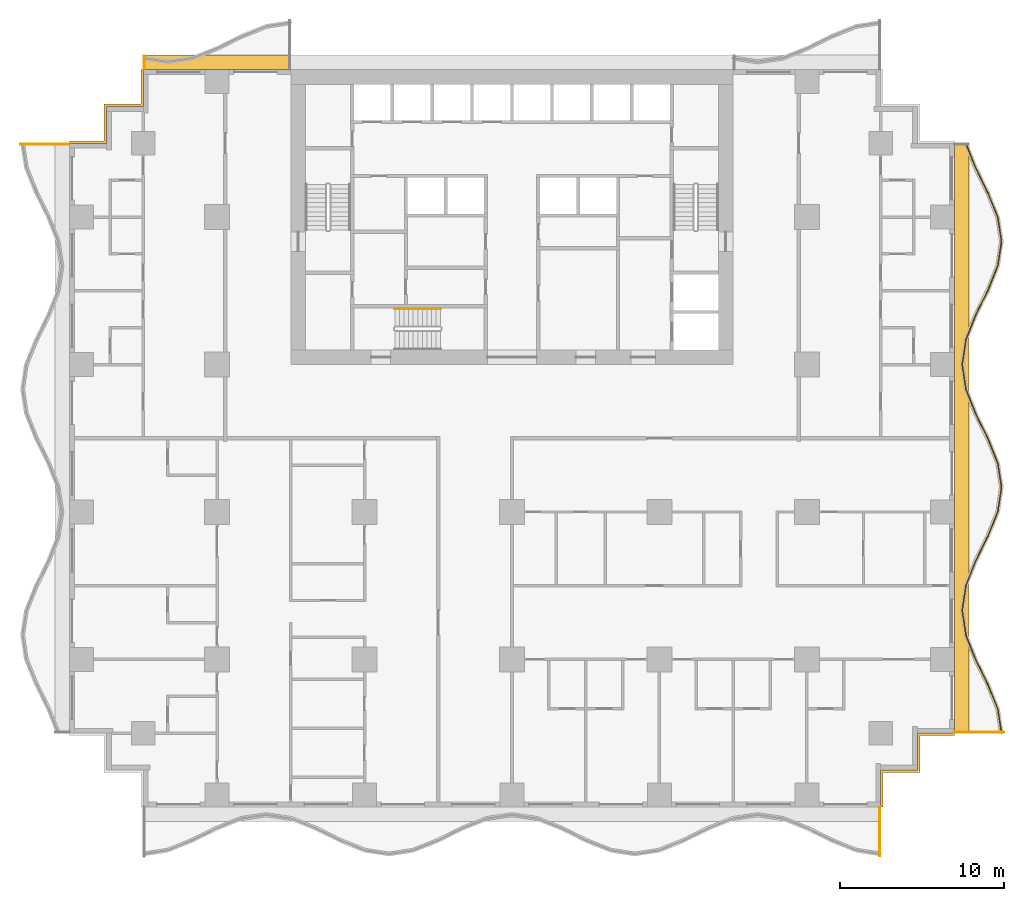
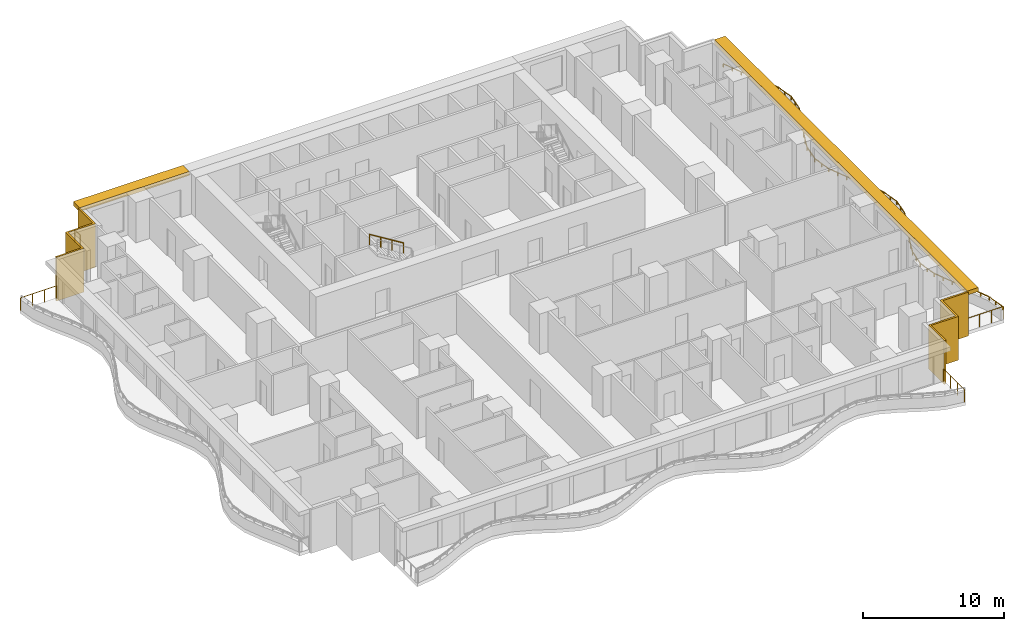
# One storey, part 11 of 14: 6 railings, 4 shading devices.
"""IFC4 building model written with IfcOpenShell, lengths in metres."""

from ifc_helpers import new_model, si_unit, direction, frame, origin, origin_2d, place, context, subcontext, project, spatial, polyline, rectangle, circle, outline, extrude, material, layer, layer_set, type_object, element, save


model = new_model("IFC4")

# Units and contexts
model_context = context("Model", 3, precision=1e-05, world=origin(), true_north=direction((0.0, 1.0)))
body_context = subcontext(model_context, "Body", "Model", "MODEL_VIEW")
ifc_project = project(units=[si_unit("LENGTHUNIT", "METRE"), si_unit("AREAUNIT", "SQUARE_METRE"), si_unit("VOLUMEUNIT", "CUBIC_METRE"), si_unit("PLANEANGLEUNIT", "RADIAN"), si_unit("MASSUNIT", "GRAM", prefix="KILO")], contexts=[model_context])

# Site, building, storey
site_placement = place(None, origin())
site = spatial("IfcSite", under=ifc_project, at=site_placement, CompositionType="ELEMENT")
building_placement = place(site_placement, origin())
building = spatial("IfcBuilding", under=site, at=building_placement, Name="Orbiselva Terraces", CompositionType="ELEMENT")
storey_placement = place(building_placement, frame((0.0, 0.0, 22.6)))
storey = spatial("IfcBuildingStorey", under=building, at=storey_placement, Name="L05", CompositionType="ELEMENT", Elevation=22.6)

# Railings
ifc_material_1 = material(Name="Stainless steel", Category="steel")
railing_type_1 = type_object("IfcRailingType", Name="CORE-HANDRAIL-900", PredefinedType="HANDRAIL", material=ifc_material_1)
railing_1_placement = place(storey_placement, frame((-4.35, 7.9, 2.072727)))
element("IfcRailing", 1, at=railing_1_placement, inside=storey, type_object=railing_type_1, Name="L05 S3 stair handrail 2", PredefinedType="HANDRAIL", context=body_context, shape_type="SweptSolid", body=[
    extrude(circle(Radius=0.024, at=origin_2d()), frame((0.0, 0.0, 0.876), z_axis=(-0.851088519012, 0.0, 0.52502222125), x_axis=(0.0, -1.0, 0.0)), (0.0, 0.0, 1.0), 3.289905),
    extrude(circle(Radius=0.021, at=origin_2d()), origin(), (0.0, 0.0, 1.0), 0.852),
    extrude(circle(Radius=0.021, at=origin_2d()), frame((-0.933333, 0.0, 0.575758)), (0.0, 0.0, 1.0), 0.852),
    extrude(circle(Radius=0.021, at=origin_2d()), frame((-1.866667, 0.0, 1.151515)), (0.0, 0.0, 1.0), 0.852),
    extrude(circle(Radius=0.021, at=origin_2d()), frame((-2.8, 0.0, 1.727273)), (0.0, 0.0, 1.0), 0.852),
])
ifc_material_2 = material(Name="Bonded two-ply safety glass balustrade, stainless steel posts", Category="steel")
railing_type_2 = type_object("IfcRailingType", Name="ENV-BALUSTRADE-1200", PredefinedType="BALUSTRADE", material=ifc_material_2)
railing_2_placement = place(storey_placement, frame((29.876434, -18.018879, 0.9)))
element("IfcRailing", 2, at=railing_2_placement, inside=storey, type_object=railing_type_2, Name="Balcony balustrade L05 E", PredefinedType="BALUSTRADE", context=body_context, shape_type="SweptSolid", body=[
    extrude(outline(polyline([(0.028868, 0.0), (0.014434, 0.025), (-0.014434, 0.025), (-0.028868, 0.0), (-0.014434, -0.025), (0.014434, -0.025), (0.028868, 0.0)])), frame((0.0, 0.0, 0.275), z_axis=(-0.151034103443, 0.988528552748, 0.0), x_axis=(-0.988528552748, -0.151034103443, 0.0)), (0.0, 0.0, 1.0), 1.503038),
    extrude(outline(polyline([(0.028868, 0.0), (0.014434, 0.025), (-0.014434, 0.025), (-0.028868, 0.0), (-0.014434, -0.025), (0.014434, -0.025), (0.028868, 0.0)])), frame((-0.22701, 1.485796, 0.275), z_axis=(-0.371391000387, 0.928476561272, 0.0), x_axis=(-0.928476561272, -0.371391000387, 0.0)), (0.0, 0.0, 1.0), 1.596261),
    extrude(outline(polyline([(0.028868, 0.0), (0.014434, 0.025), (-0.014434, 0.025), (-0.028868, 0.0), (-0.014434, -0.025), (0.014434, -0.025), (0.028868, 0.0)])), frame((-0.819847, 2.967887, 0.275), z_axis=(-0.443212307306, 0.896416672454, 0.0), x_axis=(-0.896416672454, -0.443212307306, 0.0)), (0.0, 0.0, 1.0), 1.673329),
    extrude(outline(polyline([(0.028868, 0.0), (0.014434, 0.025), (-0.014434, 0.025), (-0.028868, 0.0), (-0.014434, -0.025), (0.014434, -0.025), (0.028868, 0.0)])), frame((-1.561487, 4.467887, 0.275), z_axis=(-0.371390359967, 0.92847681744, 0.0), x_axis=(-0.92847681744, -0.371390359967, 0.0)), (0.0, 0.0, 1.0), 1.634838),
    extrude(outline(polyline([(0.028868, 0.0), (0.014434, 0.025), (-0.014434, 0.025), (-0.028868, 0.0), (-0.014434, -0.025), (0.014434, -0.025), (0.028868, 0.0)])), frame((-2.16865, 5.985796, 0.275), z_axis=(-0.151034211256, 0.988528536275, 0.0), x_axis=(-0.988528536275, -0.151034211256, 0.0)), (0.0, 0.0, 1.0), 1.550874),
    extrude(outline(polyline([(0.028868, 0.0), (0.014434, 0.025), (-0.014434, 0.025), (-0.028868, 0.0), (-0.014434, -0.025), (0.014434, -0.025), (0.028868, 0.0)])), frame((-2.402885, 7.518879, 0.275), z_axis=(0.151034211256, 0.988528536275, 0.0), x_axis=(-0.988528536275, 0.151034211256, 0.0)), (0.0, 0.0, 1.0), 1.550874),
    extrude(outline(polyline([(0.028868, 0.0), (0.014434, 0.025), (-0.014434, 0.025), (-0.028868, 0.0), (-0.014434, -0.025), (0.014434, -0.025), (0.028868, 0.0)])), frame((-2.16865, 9.051962, 0.275), z_axis=(0.371390359967, 0.92847681744, 0.0), x_axis=(-0.92847681744, 0.371390359967, 0.0)), (0.0, 0.0, 1.0), 1.634838),
    extrude(outline(polyline([(0.028868, 0.0), (0.014434, 0.025), (-0.014434, 0.025), (-0.028868, 0.0), (-0.014434, -0.025), (0.014434, -0.025), (0.028868, 0.0)])), frame((-1.561487, 10.569871, 0.275), z_axis=(0.443212307306, 0.896416672454, 0.0), x_axis=(-0.896416672454, 0.443212307306, 0.0)), (0.0, 0.0, 1.0), 1.673329),
    extrude(outline(polyline([(0.028868, 0.0), (0.014434, 0.025), (-0.014434, 0.025), (-0.028868, 0.0), (-0.014434, -0.025), (0.014434, -0.025), (0.028868, 0.0)])), frame((-0.819847, 12.069871, 0.275), z_axis=(0.371391000387, 0.928476561272, 0.0), x_axis=(-0.928476561272, 0.371391000387, 0.0)), (0.0, 0.0, 1.0), 1.596261),
    extrude(outline(polyline([(0.028868, 0.0), (0.014434, 0.025), (-0.014434, 0.025), (-0.028868, 0.0), (-0.014434, -0.025), (0.014434, -0.025), (0.028868, 0.0)])), frame((-0.22701, 13.551962, 0.275), z_axis=(0.151033749027, 0.988528606898, 0.0), x_axis=(-0.988528606898, 0.151033749027, 0.0)), (0.0, 0.0, 1.0), 1.48394),
    extrude(outline(polyline([(0.028868, 0.0), (0.014434, 0.025), (-0.014434, 0.025), (-0.028868, 0.0), (-0.014434, -0.025), (0.014434, -0.025), (0.028868, 0.0)])), frame((-0.002885, 15.018879, 0.275), z_axis=(-0.151033749027, 0.988528606898, 0.0), x_axis=(-0.988528606898, -0.151033749027, 0.0)), (0.0, 0.0, 1.0), 1.48394),
    extrude(outline(polyline([(0.028868, 0.0), (0.014434, 0.025), (-0.014434, 0.025), (-0.028868, 0.0), (-0.014434, -0.025), (0.014434, -0.025), (0.028868, 0.0)])), frame((-0.22701, 16.485796, 0.275), z_axis=(-0.371391000387, 0.928476561272, 0.0), x_axis=(-0.928476561272, -0.371391000387, 0.0)), (0.0, 0.0, 1.0), 1.596261),
    extrude(outline(polyline([(0.028868, 0.0), (0.014434, 0.025), (-0.014434, 0.025), (-0.028868, 0.0), (-0.014434, -0.025), (0.014434, -0.025), (0.028868, 0.0)])), frame((-0.819847, 17.967887, 0.275), z_axis=(-0.443212307306, 0.896416672454, 0.0), x_axis=(-0.896416672454, -0.443212307306, 0.0)), (0.0, 0.0, 1.0), 1.673329),
    extrude(outline(polyline([(0.028868, 0.0), (0.014434, 0.025), (-0.014434, 0.025), (-0.028868, 0.0), (-0.014434, -0.025), (0.014434, -0.025), (0.028868, 0.0)])), frame((-1.561487, 19.467887, 0.275), z_axis=(-0.371390359967, 0.92847681744, 0.0), x_axis=(-0.92847681744, -0.371390359967, 0.0)), (0.0, 0.0, 1.0), 1.634838),
    extrude(outline(polyline([(0.028868, 0.0), (0.014434, 0.025), (-0.014434, 0.025), (-0.028868, 0.0), (-0.014434, -0.025), (0.014434, -0.025), (0.028868, 0.0)])), frame((-2.16865, 20.985796, 0.275), z_axis=(-0.151034211256, 0.988528536275, 0.0), x_axis=(-0.988528536275, -0.151034211256, 0.0)), (0.0, 0.0, 1.0), 1.550874),
    extrude(outline(polyline([(0.028868, 0.0), (0.014434, 0.025), (-0.014434, 0.025), (-0.028868, 0.0), (-0.014434, -0.025), (0.014434, -0.025), (0.028868, 0.0)])), frame((-2.402885, 22.518879, 0.275), z_axis=(0.151034211256, 0.988528536275, 0.0), x_axis=(-0.988528536275, 0.151034211256, 0.0)), (0.0, 0.0, 1.0), 1.550874),
    extrude(outline(polyline([(0.028868, 0.0), (0.014434, 0.025), (-0.014434, 0.025), (-0.028868, 0.0), (-0.014434, -0.025), (0.014434, -0.025), (0.028868, 0.0)])), frame((-2.16865, 24.051962, 0.275), z_axis=(0.371390359967, 0.92847681744, 0.0), x_axis=(-0.92847681744, 0.371390359967, 0.0)), (0.0, 0.0, 1.0), 1.634838),
    extrude(outline(polyline([(0.028868, 0.0), (0.014434, 0.025), (-0.014434, 0.025), (-0.028868, 0.0), (-0.014434, -0.025), (0.014434, -0.025), (0.028868, 0.0)])), frame((-1.561487, 25.569871, 0.275), z_axis=(0.443212307306, 0.896416672454, 0.0), x_axis=(-0.896416672454, 0.443212307306, 0.0)), (0.0, 0.0, 1.0), 1.673329),
    extrude(outline(polyline([(0.028868, 0.0), (0.014434, 0.025), (-0.014434, 0.025), (-0.028868, 0.0), (-0.014434, -0.025), (0.014434, -0.025), (0.028868, 0.0)])), frame((-0.819847, 27.069871, 0.275), z_axis=(0.371391000387, 0.928476561272, 0.0), x_axis=(-0.928476561272, 0.371391000387, 0.0)), (0.0, 0.0, 1.0), 1.596261),
    extrude(outline(polyline([(0.028868, 0.0), (0.014434, 0.025), (-0.014434, 0.025), (-0.028868, 0.0), (-0.014434, -0.025), (0.014434, -0.025), (0.028868, 0.0)])), frame((-0.22701, 28.551962, 0.275), z_axis=(0.151033749027, 0.988528606898, 0.0), x_axis=(-0.988528606898, 0.151033749027, 0.0)), (0.0, 0.0, 1.0), 1.48394),
    extrude(outline(polyline([(0.028868, 0.0), (0.014434, 0.025), (-0.014434, 0.025), (-0.028868, 0.0), (-0.014434, -0.025), (0.014434, -0.025), (0.028868, 0.0)])), frame((-0.002885, 30.018879, 0.275), z_axis=(-0.151033749027, 0.988528606898, 0.0), x_axis=(-0.988528606898, -0.151033749027, 0.0)), (0.0, 0.0, 1.0), 1.48394),
    extrude(outline(polyline([(0.028868, 0.0), (0.014434, 0.025), (-0.014434, 0.025), (-0.028868, 0.0), (-0.014434, -0.025), (0.014434, -0.025), (0.028868, 0.0)])), frame((-0.22701, 31.485796, 0.275), z_axis=(-0.371391000387, 0.928476561272, 0.0), x_axis=(-0.928476561272, -0.371391000387, 0.0)), (0.0, 0.0, 1.0), 1.596261),
    extrude(outline(polyline([(0.028868, 0.0), (0.014434, 0.025), (-0.014434, 0.025), (-0.028868, 0.0), (-0.014434, -0.025), (0.014434, -0.025), (0.028868, 0.0)])), frame((-0.819847, 32.967887, 0.275), z_axis=(-0.443212307306, 0.896416672454, 0.0), x_axis=(-0.896416672454, -0.443212307306, 0.0)), (0.0, 0.0, 1.0), 1.673329),
    extrude(outline(polyline([(0.028868, 0.0), (0.014434, 0.025), (-0.014434, 0.025), (-0.028868, 0.0), (-0.014434, -0.025), (0.014434, -0.025), (0.028868, 0.0)])), frame((-1.561487, 34.467887, 0.275), z_axis=(-0.371390569957, 0.928476733444, 0.0), x_axis=(-0.928476733444, -0.371390569957, 0.0)), (0.0, 0.0, 1.0), 1.620469),
    extrude(rectangle(XDim=0.05, YDim=0.05, at=origin_2d()), origin(), (0.0, 0.0, 1.0), 0.25),
    extrude(rectangle(XDim=0.05, YDim=0.05, at=origin_2d()), frame((-0.113505, 0.742898, 0.0)), (0.0, 0.0, 1.0), 0.25),
    extrude(rectangle(XDim=0.05, YDim=0.05, at=origin_2d()), frame((-0.22701, 1.485796, 0.0)), (0.0, 0.0, 1.0), 0.25),
    extrude(rectangle(XDim=0.05, YDim=0.05, at=origin_2d()), frame((-0.523428, 2.226841, 0.0)), (0.0, 0.0, 1.0), 0.25),
    extrude(rectangle(XDim=0.05, YDim=0.05, at=origin_2d()), frame((-0.819847, 2.967887, 0.0)), (0.0, 0.0, 1.0), 0.25),
    extrude(rectangle(XDim=0.05, YDim=0.05, at=origin_2d()), frame((-1.190667, 3.717887, 0.0)), (0.0, 0.0, 1.0), 0.25),
    extrude(rectangle(XDim=0.05, YDim=0.05, at=origin_2d()), frame((-1.561487, 4.467887, 0.0)), (0.0, 0.0, 1.0), 0.25),
    extrude(rectangle(XDim=0.05, YDim=0.05, at=origin_2d()), frame((-1.865068, 5.226841, 0.0)), (0.0, 0.0, 1.0), 0.25),
    extrude(rectangle(XDim=0.05, YDim=0.05, at=origin_2d()), frame((-2.16865, 5.985796, 0.0)), (0.0, 0.0, 1.0), 0.25),
    extrude(rectangle(XDim=0.05, YDim=0.05, at=origin_2d()), frame((-2.285768, 6.752337, 0.0)), (0.0, 0.0, 1.0), 0.25),
    extrude(rectangle(XDim=0.05, YDim=0.05, at=origin_2d()), frame((-2.402885, 7.518879, 0.0)), (0.0, 0.0, 1.0), 0.25),
    extrude(rectangle(XDim=0.05, YDim=0.05, at=origin_2d()), frame((-2.285768, 8.28542, 0.0)), (0.0, 0.0, 1.0), 0.25),
    extrude(rectangle(XDim=0.05, YDim=0.05, at=origin_2d()), frame((-2.16865, 9.051962, 0.0)), (0.0, 0.0, 1.0), 0.25),
    extrude(rectangle(XDim=0.05, YDim=0.05, at=origin_2d()), frame((-1.865068, 9.810916, 0.0)), (0.0, 0.0, 1.0), 0.25),
    extrude(rectangle(XDim=0.05, YDim=0.05, at=origin_2d()), frame((-1.561487, 10.569871, 0.0)), (0.0, 0.0, 1.0), 0.25),
    extrude(rectangle(XDim=0.05, YDim=0.05, at=origin_2d()), frame((-1.190667, 11.319871, 0.0)), (0.0, 0.0, 1.0), 0.25),
    extrude(rectangle(XDim=0.05, YDim=0.05, at=origin_2d()), frame((-0.819847, 12.069871, 0.0)), (0.0, 0.0, 1.0), 0.25),
    extrude(rectangle(XDim=0.05, YDim=0.05, at=origin_2d()), frame((-0.523428, 12.810916, 0.0)), (0.0, 0.0, 1.0), 0.25),
    extrude(rectangle(XDim=0.05, YDim=0.05, at=origin_2d()), frame((-0.22701, 13.551962, 0.0)), (0.0, 0.0, 1.0), 0.25),
    extrude(rectangle(XDim=0.05, YDim=0.05, at=origin_2d()), frame((-0.114947, 14.28542, 0.0)), (0.0, 0.0, 1.0), 0.25),
    extrude(rectangle(XDim=0.05, YDim=0.05, at=origin_2d()), frame((-0.002885, 15.018879, 0.0)), (0.0, 0.0, 1.0), 0.25),
    extrude(rectangle(XDim=0.05, YDim=0.05, at=origin_2d()), frame((-0.114947, 15.752337, 0.0)), (0.0, 0.0, 1.0), 0.25),
    extrude(rectangle(XDim=0.05, YDim=0.05, at=origin_2d()), frame((-0.22701, 16.485796, 0.0)), (0.0, 0.0, 1.0), 0.25),
    extrude(rectangle(XDim=0.05, YDim=0.05, at=origin_2d()), frame((-0.523428, 17.226842, 0.0)), (0.0, 0.0, 1.0), 0.25),
    extrude(rectangle(XDim=0.05, YDim=0.05, at=origin_2d()), frame((-0.819847, 17.967887, 0.0)), (0.0, 0.0, 1.0), 0.25),
    extrude(rectangle(XDim=0.05, YDim=0.05, at=origin_2d()), frame((-1.190667, 18.717887, 0.0)), (0.0, 0.0, 1.0), 0.25),
    extrude(rectangle(XDim=0.05, YDim=0.05, at=origin_2d()), frame((-1.561487, 19.467887, 0.0)), (0.0, 0.0, 1.0), 0.25),
    extrude(rectangle(XDim=0.05, YDim=0.05, at=origin_2d()), frame((-1.865068, 20.226842, 0.0)), (0.0, 0.0, 1.0), 0.25),
    extrude(rectangle(XDim=0.05, YDim=0.05, at=origin_2d()), frame((-2.16865, 20.985796, 0.0)), (0.0, 0.0, 1.0), 0.25),
    extrude(rectangle(XDim=0.05, YDim=0.05, at=origin_2d()), frame((-2.285768, 21.752337, 0.0)), (0.0, 0.0, 1.0), 0.25),
    extrude(rectangle(XDim=0.05, YDim=0.05, at=origin_2d()), frame((-2.402885, 22.518879, 0.0)), (0.0, 0.0, 1.0), 0.25),
    extrude(rectangle(XDim=0.05, YDim=0.05, at=origin_2d()), frame((-2.285768, 23.28542, 0.0)), (0.0, 0.0, 1.0), 0.25),
    extrude(rectangle(XDim=0.05, YDim=0.05, at=origin_2d()), frame((-2.16865, 24.051962, 0.0)), (0.0, 0.0, 1.0), 0.25),
    extrude(rectangle(XDim=0.05, YDim=0.05, at=origin_2d()), frame((-1.865068, 24.810916, 0.0)), (0.0, 0.0, 1.0), 0.25),
    extrude(rectangle(XDim=0.05, YDim=0.05, at=origin_2d()), frame((-1.561487, 25.569871, 0.0)), (0.0, 0.0, 1.0), 0.25),
    extrude(rectangle(XDim=0.05, YDim=0.05, at=origin_2d()), frame((-1.190667, 26.319871, 0.0)), (0.0, 0.0, 1.0), 0.25),
    extrude(rectangle(XDim=0.05, YDim=0.05, at=origin_2d()), frame((-0.819847, 27.069871, 0.0)), (0.0, 0.0, 1.0), 0.25),
    extrude(rectangle(XDim=0.05, YDim=0.05, at=origin_2d()), frame((-0.523428, 27.810916, 0.0)), (0.0, 0.0, 1.0), 0.25),
    extrude(rectangle(XDim=0.05, YDim=0.05, at=origin_2d()), frame((-0.22701, 28.551962, 0.0)), (0.0, 0.0, 1.0), 0.25),
    extrude(rectangle(XDim=0.05, YDim=0.05, at=origin_2d()), frame((-0.114947, 29.28542, 0.0)), (0.0, 0.0, 1.0), 0.25),
    extrude(rectangle(XDim=0.05, YDim=0.05, at=origin_2d()), frame((-0.002885, 30.018879, 0.0)), (0.0, 0.0, 1.0), 0.25),
    extrude(rectangle(XDim=0.05, YDim=0.05, at=origin_2d()), frame((-0.114947, 30.752338, 0.0)), (0.0, 0.0, 1.0), 0.25),
    extrude(rectangle(XDim=0.05, YDim=0.05, at=origin_2d()), frame((-0.22701, 31.485796, 0.0)), (0.0, 0.0, 1.0), 0.25),
    extrude(rectangle(XDim=0.05, YDim=0.05, at=origin_2d()), frame((-0.523428, 32.226842, 0.0)), (0.0, 0.0, 1.0), 0.25),
    extrude(rectangle(XDim=0.05, YDim=0.05, at=origin_2d()), frame((-0.819847, 32.967887, 0.0)), (0.0, 0.0, 1.0), 0.25),
    extrude(rectangle(XDim=0.05, YDim=0.05, at=origin_2d()), frame((-1.190667, 33.717887, 0.0)), (0.0, 0.0, 1.0), 0.25),
    extrude(rectangle(XDim=0.05, YDim=0.05, at=origin_2d()), frame((-1.561487, 34.467887, 0.0)), (0.0, 0.0, 1.0), 0.25),
    extrude(rectangle(XDim=0.05, YDim=0.05, at=origin_2d()), frame((-1.8624, 35.220171, 0.0)), (0.0, 0.0, 1.0), 0.25),
    extrude(rectangle(XDim=0.05, YDim=0.05, at=origin_2d()), frame((-2.163314, 35.972455, 0.0)), (0.0, 0.0, 1.0), 0.25),
])
ifc_material_3 = material(Name="Stainless steel rail and posts", Category="steel")
railing_type_3 = type_object("IfcRailingType", Name="ENV-GUARD-1105", PredefinedType="BALUSTRADE", material=ifc_material_3)
railing_3_placement = place(storey_placement, frame((22.44, -25.499621, 0.0)))
element("IfcRailing", 3, at=railing_3_placement, inside=storey, type_object=railing_type_3, Name="Balcony end guard L05 S", PredefinedType="BALUSTRADE", context=body_context, shape_type="SweptSolid", body=[
    extrude(outline(polyline([(0.028868, 0.0), (0.014434, 0.025), (-0.014434, 0.025), (-0.028868, 0.0), (-0.014434, -0.025), (0.014434, -0.025), (0.028868, 0.0)])), frame((0.0, 0.0, 1.08), z_axis=(0.0, 1.0, 0.0), x_axis=(-1.0, 0.0, 0.0)), (0.0, 0.0, 1.0), 2.974621),
    extrude(rectangle(XDim=0.05, YDim=0.05, at=origin_2d()), origin(), (0.0, 0.0, 1.0), 1.055),
    extrude(rectangle(XDim=0.05, YDim=0.05, at=origin_2d()), frame((0.0, 0.99154, 0.0)), (0.0, 0.0, 1.0), 1.055),
    extrude(rectangle(XDim=0.05, YDim=0.05, at=origin_2d()), frame((0.0, 1.983081, 0.0)), (0.0, 0.0, 1.0), 1.055),
    extrude(rectangle(XDim=0.05, YDim=0.05, at=origin_2d()), frame((0.0, 2.974621, 0.0)), (0.0, 0.0, 1.0), 1.055),
])
railing_4_placement = place(storey_placement, frame((29.999621, -17.94, 0.0)))
element("IfcRailing", 4, at=railing_4_placement, inside=storey, type_object=railing_type_3, Name="Balcony end guard L05 E", PredefinedType="BALUSTRADE", context=body_context, shape_type="SweptSolid", body=[
    extrude(outline(polyline([(0.028868, 0.0), (0.014434, 0.025), (-0.014434, 0.025), (-0.028868, 0.0), (-0.014434, -0.025), (0.014434, -0.025), (0.028868, 0.0)])), frame((0.0, 0.0, 1.08), z_axis=(-1.0, 0.0, 0.0), x_axis=(0.0, -1.0, 0.0)), (0.0, 0.0, 1.0), 2.974621),
    extrude(rectangle(XDim=0.05, YDim=0.05, at=origin_2d()), origin(), (0.0, 0.0, 1.0), 1.055),
    extrude(rectangle(XDim=0.05, YDim=0.05, at=origin_2d()), frame((-0.99154, 0.0, 0.0)), (0.0, 0.0, 1.0), 1.055),
    extrude(rectangle(XDim=0.05, YDim=0.05, at=origin_2d()), frame((-1.983081, 0.0, 0.0)), (0.0, 0.0, 1.0), 1.055),
    extrude(rectangle(XDim=0.05, YDim=0.05, at=origin_2d()), frame((-2.974621, 0.0, 0.0)), (0.0, 0.0, 1.0), 1.055),
])
railing_5_placement = place(storey_placement, frame((-22.44, 23.311761, 0.0)))
element("IfcRailing", 5, at=railing_5_placement, inside=storey, type_object=railing_type_3, Name="Balcony end guard L05 NW", PredefinedType="BALUSTRADE", context=body_context, shape_type="SweptSolid", body=[
    extrude(outline(polyline([(0.028868, 0.0), (0.014434, 0.025), (-0.014434, 0.025), (-0.028868, 0.0), (-0.014434, -0.025), (0.014434, -0.025), (0.028868, 0.0)])), frame((0.0, 0.0, 1.08), z_axis=(0.0, -1.0, 0.0), x_axis=(1.0, 0.0, 0.0)), (0.0, 0.0, 1.0), 0.786761),
    extrude(rectangle(XDim=0.05, YDim=0.05, at=origin_2d()), origin(), (0.0, 0.0, 1.0), 1.055),
    extrude(rectangle(XDim=0.05, YDim=0.05, at=origin_2d()), frame((0.0, -0.786761, 0.0)), (0.0, 0.0, 1.0), 1.055),
])
railing_6_placement = place(storey_placement, frame((-29.999621, 17.94, 0.0)))
element("IfcRailing", 6, at=railing_6_placement, inside=storey, type_object=railing_type_3, Name="Balcony end guard L05 W", PredefinedType="BALUSTRADE", context=body_context, shape_type="SweptSolid", body=[
    extrude(outline(polyline([(0.028868, 0.0), (0.014434, 0.025), (-0.014434, 0.025), (-0.028868, 0.0), (-0.014434, -0.025), (0.014434, -0.025), (0.028868, 0.0)])), frame((0.0, 0.0, 1.08), z_axis=(1.0, 0.0, 0.0), x_axis=(0.0, 1.0, 0.0)), (0.0, 0.0, 1.0), 2.974621),
    extrude(rectangle(XDim=0.05, YDim=0.05, at=origin_2d()), origin(), (0.0, 0.0, 1.0), 1.055),
    extrude(rectangle(XDim=0.05, YDim=0.05, at=origin_2d()), frame((0.99154, 0.0, 0.0)), (0.0, 0.0, 1.0), 1.055),
    extrude(rectangle(XDim=0.05, YDim=0.05, at=origin_2d()), frame((1.983081, 0.0, 0.0)), (0.0, 0.0, 1.0), 1.055),
    extrude(rectangle(XDim=0.05, YDim=0.05, at=origin_2d()), frame((2.974621, 0.0, 0.0)), (0.0, 0.0, 1.0), 1.055),
])

# Shading devices
ifc_material_4 = material(Name="Terracotta louvre screen", Category="masonry")
ifc_layer_1 = layer(ifc_material_4, 0.15)
ifc_layer_set_1 = layer_set([ifc_layer_1], Name="Terracotta louvre screen")
shading_device_type_1 = type_object("IfcShadingDeviceType", Name="ENV-SCREEN-150", PredefinedType="USERDEFINED", material=ifc_layer_set_1)
shading_device_1_placement = place(storey_placement, frame((0.0, 0.0, -0.3)))
element("IfcShadingDevice", 7, at=shading_device_1_placement, inside=storey, type_object=shading_device_type_1, Name="Louvre screen L05 NW", ObjectType="SCREEN", PredefinedType="USERDEFINED", context=body_context, shape_type="SweptSolid", body=[
    extrude(outline(polyline([(-22.65, 22.5), (-22.65, 20.4), (-24.9, 20.4), (-24.9, 18.15), (-27.0, 18.15), (-27.0, 18.0), (-24.75, 18.0), (-24.75, 20.25), (-22.5, 20.25), (-22.5, 22.5), (-22.65, 22.5)])), origin(), (0.0, 0.0, 1.0), 3.8),
])
shading_device_2_placement = place(storey_placement, frame((0.0, 0.0, -0.3)))
element("IfcShadingDevice", 8, at=shading_device_2_placement, inside=storey, type_object=shading_device_type_1, Name="Louvre screen L05 SE", ObjectType="SCREEN", PredefinedType="USERDEFINED", context=body_context, shape_type="SweptSolid", body=[
    extrude(outline(polyline([(22.65, -22.5), (22.65, -20.4), (24.9, -20.4), (24.9, -18.15), (27.0, -18.15), (27.0, -18.0), (24.75, -18.0), (24.75, -20.25), (22.5, -20.25), (22.5, -22.5), (22.65, -22.5)])), origin(), (0.0, 0.0, 1.0), 3.8),
])
ifc_material_5 = material(Name="Terracotta baguette sunshade", Category="masonry")
ifc_layer_2 = layer(ifc_material_5, 0.35)
ifc_layer_set_2 = layer_set([ifc_layer_2], Name="Terracotta baguette sunshade")
shading_device_type_2 = type_object("IfcShadingDeviceType", Name="ENV-SUNSHADE-900x350", PredefinedType="USERDEFINED", material=ifc_layer_set_2)
shading_device_3_placement = place(storey_placement, frame((0.0, 0.0, 3.15)))
element("IfcShadingDevice", 9, at=shading_device_3_placement, inside=storey, type_object=shading_device_type_2, Name="Sunshade band L05 E", ObjectType="SUNSHADE", PredefinedType="USERDEFINED", context=body_context, shape_type="SweptSolid", body=[
    extrude(outline(polyline([(27.9, -18.0), (27.9, 18.0), (27.0, 18.0), (27.0, -18.0), (27.9, -18.0)])), origin(), (0.0, 0.0, 1.0), 0.35),
])
shading_device_4_placement = place(storey_placement, frame((0.0, 0.0, 3.15)))
element("IfcShadingDevice", 10, at=shading_device_4_placement, inside=storey, type_object=shading_device_type_2, Name="Sunshade band L05 NW", ObjectType="SUNSHADE", PredefinedType="USERDEFINED", context=body_context, shape_type="SweptSolid", body=[
    extrude(outline(polyline([(-13.5, 23.4), (-22.5, 23.4), (-22.5, 22.5), (-13.5, 22.5), (-13.5, 23.4)])), origin(), (0.0, 0.0, 1.0), 0.35),
])

save(model, "model.ifc")
